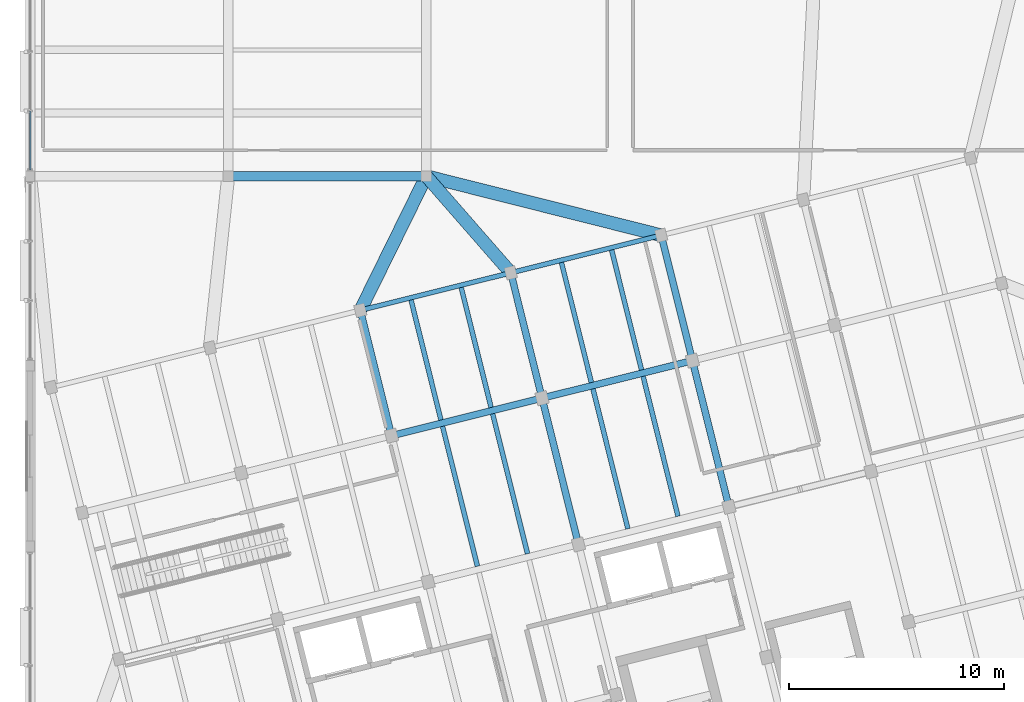
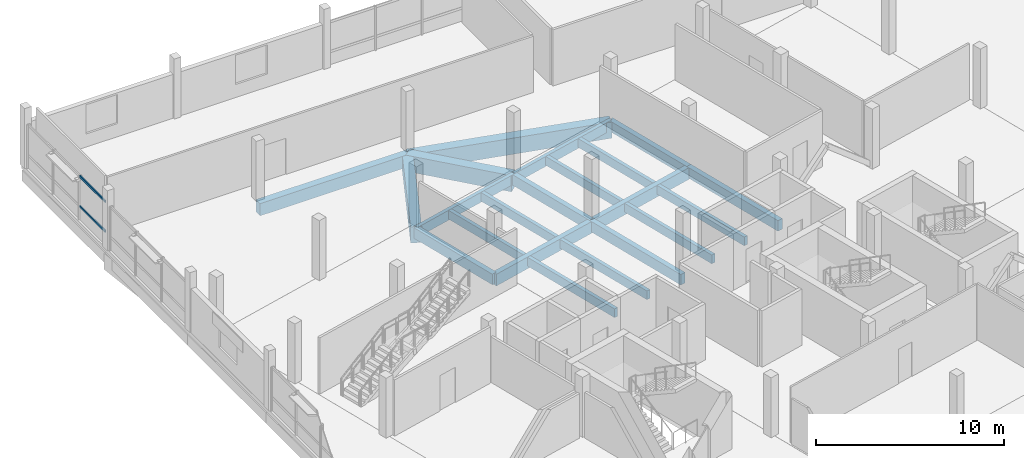
# One storey, part 34 of 62: 21 beams, 2 members, 1 element without a shape of its own.
"""IFC4 building model written with IfcOpenShell, lengths in metres."""

from ifc_helpers import new_model, si_unit, direction, frame, origin, origin_2d, place, context, subcontext, project, spatial, rectangle, hollow_rectangle, extrude, material, layer, layer_set, material_profile, profile_set, type_object, element, aggregate, save


model = new_model("IFC4")

# Units and contexts
model_context = context("Model", 3, precision=1e-05, world=origin(), true_north=direction((0.0, 1.0)))
body_context = subcontext(model_context, "Body", "Model", "MODEL_VIEW")
ifc_project = project(units=[si_unit("LENGTHUNIT", "METRE"), si_unit("AREAUNIT", "SQUARE_METRE"), si_unit("VOLUMEUNIT", "CUBIC_METRE"), si_unit("PLANEANGLEUNIT", "RADIAN"), si_unit("MASSUNIT", "GRAM", prefix="KILO")], contexts=[model_context])

# Site, building, storey
site_placement = place(None, origin())
site = spatial("IfcSite", under=ifc_project, at=site_placement, CompositionType="ELEMENT")
building_placement = place(site_placement, origin())
building = spatial("IfcBuilding", under=site, at=building_placement, Name="Meriwether Solvik Hall", CompositionType="ELEMENT")
storey_placement = place(building_placement, frame((0.0, 0.0, 14.39990234375)))
storey = spatial("IfcBuildingStorey", under=building, at=storey_placement, Name="L03", CompositionType="ELEMENT", Elevation=14.39990234375)

# Beams
ifc_material_1 = material(Name="Glulam Douglas-Fir 24F-V8 GL28h", Category="wood")
ifc_material_profile_1 = material_profile(ifc_material_1, rectangle(XDim=0.221923828125, YDim=0.64501953125, at=origin_2d()), Name="GLB-222X645")
ifc_profile_set_1 = profile_set([ifc_material_profile_1], Name="Glulam Douglas-Fir 24F-V8 GL28h")
beam_type_1 = type_object("IfcBeamType", Name="BM-GL-222X645", PredefinedType="SPANDREL", material=ifc_profile_set_1)
for number, where, z_axis, x_axis, name in (
    (1, (74.735107421875, 77.7705078125, -0.5673828125), (0.970291911955, 0.241937193493, 0.0), (-0.241937193493, 0.970291911955, 0.0), "Tower Girder TF:T3-T4 (L03)"),
    (2, (81.72119140625, 79.512451171875, -0.5673828125), (0.970299871507, 0.241905269381, 0.0), (-0.241905269381, 0.970299871507, 0.0), "Tower Girder TF:T4-T5 (L03)"),
):
    element("IfcBeam", number, at=place(storey_placement, frame(where, z_axis=z_axis, x_axis=x_axis)), inside=storey, type_object=beam_type_1, Name=name, PredefinedType="SPANDREL", context=body_context, shape_type="SweptSolid", body=[
        extrude(rectangle(XDim=0.221923828125, YDim=0.64501953125, at=origin_2d()), origin(), (0.0, 0.0, 1.0), 7.199951171875),
    ])
ifc_material_2 = material(Name="Glulam Douglas-Fir 24F-V8 GL28h", Category="wood")
ifc_material_profile_2 = material_profile(ifc_material_2, rectangle(XDim=0.31494140625, YDim=0.68505859375, at=origin_2d()), Name="GLB-315X685")
ifc_profile_set_2 = profile_set([ifc_material_profile_2], Name="Glulam Douglas-Fir 24F-V8 GL28h")
beam_type_2 = type_object("IfcBeamType", Name="BM-GL-315X685", PredefinedType="BEAM", material=ifc_profile_set_2)
beam_1_placement = place(storey_placement, frame((76.1865234375, 71.94873046875, -0.58740234375), z_axis=(-0.241903677572, 0.970300268359, 0.0), x_axis=(-0.970300268359, -0.241903677572, 0.0)))
element("IfcBeam", 3, at=beam_1_placement, inside=storey, type_object=beam_type_2, Name="Tower Girder T3:TE-TF (L03)", PredefinedType="BEAM", context=body_context, shape_type="SweptSolid", body=[
    extrude(rectangle(XDim=0.31494140625, YDim=0.68505859375, at=origin_2d()), origin(), (0.0, 0.0, 1.0), 6.0),
])
beam_2_placement = place(storey_placement, frame((84.8662109375, 66.8984375, -0.58740234375), z_axis=(-0.241936527961, 0.970292077901, 0.0), x_axis=(-0.970292077901, -0.241936527961, 0.0)))
element("IfcBeam", 4, at=beam_2_placement, inside=storey, type_object=beam_type_2, Name="Tower Girder T4:TD-TE (L03)", PredefinedType="BEAM", context=body_context, shape_type="SweptSolid", body=[
    extrude(rectangle(XDim=0.31494140625, YDim=0.68505859375, at=origin_2d()), origin(), (0.0, 0.0, 1.0), 7.000244140625),
])
beam_3_placement = place(storey_placement, frame((83.172607421875, 73.690673828125, -0.58740234375), z_axis=(-0.241903677572, 0.970300268359, 0.0), x_axis=(-0.970300268359, -0.241903677572, 0.0)))
element("IfcBeam", 5, at=beam_3_placement, inside=storey, type_object=beam_type_2, Name="Tower Girder T4:TE-TF (L03)", PredefinedType="BEAM", context=body_context, shape_type="SweptSolid", body=[
    extrude(rectangle(XDim=0.31494140625, YDim=0.68505859375, at=origin_2d()), origin(), (0.0, 0.0, 1.0), 6.0),
])
beam_4_placement = place(storey_placement, frame((91.852294921875, 68.640380859375, -0.58740234375), z_axis=(-0.241911879182, 0.970298223594, 0.0), x_axis=(-0.970298223594, -0.241911879182, 0.0)))
element("IfcBeam", 6, at=beam_4_placement, inside=storey, type_object=beam_type_2, Name="Tower Girder T5:TD-TE (L03)", PredefinedType="BEAM", context=body_context, shape_type="SweptSolid", body=[
    extrude(rectangle(XDim=0.31494140625, YDim=0.68505859375, at=origin_2d()), origin(), (0.0, 0.0, 1.0), 7.0),
])
beam_5_placement = place(storey_placement, frame((90.158935546875, 75.432373046875, -0.58740234375), z_axis=(-0.241941986192, 0.970290716908, 0.0), x_axis=(-0.970290716908, -0.241941986192, 0.0)))
element("IfcBeam", 7, at=beam_5_placement, inside=storey, type_object=beam_type_2, Name="Tower Girder T5:TE-TF (L03)", PredefinedType="BEAM", context=body_context, shape_type="SweptSolid", body=[
    extrude(rectangle(XDim=0.31494140625, YDim=0.68505859375, at=origin_2d()), origin(), (0.0, 0.0, 1.0), 6.0),
])
ifc_material_3 = material(Name="Glulam Douglas-Fir 24F-V8 GL28h", Category="wood")
ifc_material_profile_3 = material_profile(ifc_material_3, rectangle(XDim=0.31494140625, YDim=0.760009765625, at=origin_2d()), Name="GLB-315X760")
ifc_profile_set_3 = profile_set([ifc_material_profile_3], Name="Glulam Douglas-Fir 24F-V8 GL28h")
beam_type_3 = type_object("IfcBeamType", Name="BM-GL-315X760", PredefinedType="BEAM", material=ifc_profile_set_3)
beam_6_placement = place(storey_placement, frame((76.1865234375, 71.94873046875, -0.625), z_axis=(0.970291911955, 0.241937193493, 0.0), x_axis=(-0.241937193493, 0.970291911955, 0.0)))
element("IfcBeam", 8, at=beam_6_placement, inside=storey, type_object=beam_type_3, Name="Tower Girder TE:T3-T4 (L03)", PredefinedType="BEAM", context=body_context, shape_type="SweptSolid", body=[
    extrude(rectangle(XDim=0.31494140625, YDim=0.760009765625, at=origin_2d()), origin(), (0.0, 0.0, 1.0), 7.199951171875),
])
beam_7_placement = place(storey_placement, frame((83.172607421875, 73.690673828125, -0.625), z_axis=(0.970301855688, 0.241897310542, 0.0), x_axis=(-0.241897310542, 0.970301855688, 0.0)))
element("IfcBeam", 9, at=beam_7_placement, inside=storey, type_object=beam_type_3, Name="Tower Girder TE:T4-T5 (L03)", PredefinedType="BEAM", context=body_context, shape_type="SweptSolid", body=[
    extrude(rectangle(XDim=0.31494140625, YDim=0.760009765625, at=origin_2d()), origin(), (0.0, 0.0, 1.0), 7.2001953125),
])
ifc_material_4 = material(Name="Concrete C40/50", Category="concrete")
ifc_material_profile_4 = material_profile(ifc_material_4, rectangle(XDim=0.449951171875, YDim=0.800048828125, at=origin_2d()), Name="RCB-450X800")
ifc_profile_set_4 = profile_set([ifc_material_profile_4], Name="Concrete C40/50")
beam_type_4 = type_object("IfcBeamType", Name="BM-RC-450X800", PredefinedType="BEAM", material=ifc_profile_set_4)
beam_8_placement = place(storey_placement, frame((68.60009765625, 84.0, -0.64501953125), z_axis=(1.0, 0.0, 0.0), x_axis=(0.0, 1.0, 0.0)))
element("IfcBeam", 10, at=beam_8_placement, inside=storey, type_object=beam_type_4, Name="Podium Girder J:8-9 (L03)", PredefinedType="BEAM", context=body_context, shape_type="SweptSolid", body=[
    extrude(rectangle(XDim=0.449951171875, YDim=0.800048828125, at=origin_2d()), origin(), (0.0, 0.0, 1.0), 9.199951171875),
])
ifc_material_5 = material(Name="Concrete C40/50", Category="concrete")
ifc_material_profile_5 = material_profile(ifc_material_5, rectangle(XDim=0.60009765625, YDim=1.050048828125, at=origin_2d()), Name="RCB-600X1050")
ifc_profile_set_5 = profile_set([ifc_material_profile_5], Name="Concrete C40/50")
beam_type_5 = type_object("IfcBeamType", Name="BM-RC-600X1050", PredefinedType="BEAM", material=ifc_profile_set_5)
beam_9_placement = place(storey_placement, frame((74.735107421875, 77.7705078125, -0.77001953125), z_axis=(0.44146540955, 0.897278269084, 0.0), x_axis=(-0.897278269084, 0.44146540955, 0.0)))
element("IfcBeam", 11, at=beam_9_placement, inside=storey, type_object=beam_type_5, Name="Diaphragm Collector Girder T3/TF-9/J (L03)", PredefinedType="BEAM", context=body_context, shape_type="SweptSolid", body=[
    extrude(rectangle(XDim=0.60009765625, YDim=1.050048828125, at=origin_2d()), origin(), (0.0, 0.0, 1.0), 6.942626953125),
])
beam_10_placement = place(storey_placement, frame((81.72119140625, 79.512451171875, -0.77001953125), z_axis=(-0.657985282871, 0.7530307879, 0.0), x_axis=(-0.7530307879, -0.657985282871, 0.0)))
element("IfcBeam", 12, at=beam_10_placement, inside=storey, type_object=beam_type_5, Name="Diaphragm Collector Girder T4/TF-9/J (L03)", PredefinedType="BEAM", context=body_context, shape_type="SweptSolid", body=[
    extrude(rectangle(XDim=0.60009765625, YDim=1.050048828125, at=origin_2d()), origin(), (0.0, 0.0, 1.0), 5.959228515625),
])
beam_11_placement = place(storey_placement, frame((88.707275390625, 81.254150390625, -0.77001953125), z_axis=(-0.969742820247, 0.244128782776, 0.0), x_axis=(-0.244128782776, -0.969742820247, 0.0)))
element("IfcBeam", 13, at=beam_11_placement, inside=storey, type_object=beam_type_5, Name="Diaphragm Collector Girder T5/TF-9/J (L03)", PredefinedType="BEAM", context=body_context, shape_type="SweptSolid", body=[
    extrude(rectangle(XDim=0.60009765625, YDim=1.050048828125, at=origin_2d()), origin(), (0.0, 0.0, 1.0), 11.24755859375),
])

# Curtain wall, members
ifc_material_6 = material(Name="Thermally Broken Anodised Aluminium 6063-T6 and Low-E Glass", Category="aluminium")
ifc_layer = layer(ifc_material_6, 0.179931640625)
ifc_layer_set = layer_set([ifc_layer], Name="Thermally Broken Anodised Aluminium 6063-T6 and Low-E Glass")
curtain_wall_type = type_object("IfcCurtainWallType", Name="CW-UNIT-E", PredefinedType="USERDEFINED", material=ifc_layer_set)
curtain_wall_placement = place(storey_placement, origin())
curtain_wall = element("IfcCurtainWall", 14, at=curtain_wall_placement, inside=storey, type_object=curtain_wall_type, Name="Curtain Wall wing_Y7_10_33 (L03)", ObjectType="UNITISED CURTAIN WALL", PredefinedType="USERDEFINED")
ifc_material_7 = material(Name="Anodised Aluminium 6063-T6", Category="aluminium")
ifc_material_profile_6 = material_profile(ifc_material_7, hollow_rectangle(XDim=0.070068359375, YDim=0.14990234375, WallThickness=0.0048828125, at=origin_2d()), Name="CWT-70X150")
ifc_profile_set_6 = profile_set([ifc_material_profile_6], Name="Anodised Aluminium 6063-T6")
member_type = type_object("IfcMemberType", Name="CW-TRN-70X150", PredefinedType="USERDEFINED", material=ifc_profile_set_6)
member_1_placement = place(storey_placement, frame((59.39990234375, 84.297607421875, 0.856689453125), z_axis=(0.0, 1.0, 0.0), x_axis=(-1.0, 0.0, 0.0)))
member_1 = element("IfcMember", 15, at=member_1_placement, type_object=member_type, Name="Curtain Wall Transom 1-sill", ObjectType="TRANSOM", PredefinedType="USERDEFINED", context=body_context, shape_type="SweptSolid", body=[
    extrude(hollow_rectangle(XDim=0.070068359375, YDim=0.14990234375, WallThickness=0.0048828125, at=origin_2d()), origin(), (0.0, 0.0, 1.0), 2.72216796875),
])
member_2_placement = place(storey_placement, frame((59.39990234375, 84.297607421875, 2.795166015625), z_axis=(0.0, 1.0, 0.0), x_axis=(-1.0, 0.0, 0.0)))
member_2 = element("IfcMember", 16, at=member_2_placement, type_object=member_type, Name="Curtain Wall Transom 1-head", ObjectType="TRANSOM", PredefinedType="USERDEFINED", context=body_context, shape_type="SweptSolid", body=[
    extrude(hollow_rectangle(XDim=0.070068359375, YDim=0.14990234375, WallThickness=0.0048828125, at=origin_2d()), origin(), (0.0, 0.0, 1.0), 2.72216796875),
])
aggregate(curtain_wall, [member_1, member_2])

# Beams
ifc_material_8 = material(Name="Glulam Douglas-Fir 24F-V8 GL28h", Category="wood")
ifc_material_profile_7 = material_profile(ifc_material_8, rectangle(XDim=0.221923828125, YDim=0.570068359375, at=origin_2d()), Name="GLJ-222X570")
ifc_profile_set_7 = profile_set([ifc_material_profile_7], Name="Glulam Douglas-Fir 24F-V8 GL28h")
beam_type_6 = type_object("IfcBeamType", Name="JST-GL-222X570", PredefinedType="JOIST", material=ifc_profile_set_7)
for number, where, z_axis, x_axis, name in (
    (17, (80.171875, 65.88525390625, -0.52978515625), (-0.241917792922, 0.970296749179, 0.0), (-0.970296749179, -0.241917792922, 0.0), "Glulam Floor Joist T3/TD-J1 (L03)"),
    (18, (82.50048828125, 66.4658203125, -0.52978515625), (-0.241917792922, 0.970296749179, 0.0), (-0.970296749179, -0.241917792922, 0.0), "Glulam Floor Joist T3/TD-J2 (L03)"),
):
    element("IfcBeam", number, at=place(storey_placement, frame(where, z_axis=z_axis, x_axis=x_axis)), inside=storey, type_object=beam_type_6, Name=name, PredefinedType="JOIST", context=body_context, shape_type="SweptSolid", body=[
        extrude(rectangle(XDim=0.221923828125, YDim=0.570068359375, at=origin_2d()), origin(), (0.0, 0.0, 1.0), 6.695068359375),
    ])
for number, where, z_axis, x_axis, name in (
    (19, (78.478271484375, 72.67724609375, -0.52978515625), (-0.241905253991, 0.970299875343, 0.0), (-0.970299875343, -0.241905253991, 0.0), "Glulam Floor Joist T3/TE-J1 (L03)"),
    (20, (80.80712890625, 73.2578125, -0.52978515625), (-0.241905253991, 0.970299875343, 0.0), (-0.970299875343, -0.241905253991, 0.0), "Glulam Floor Joist T3/TE-J2 (L03)"),
):
    element("IfcBeam", number, at=place(storey_placement, frame(where, z_axis=z_axis, x_axis=x_axis)), inside=storey, type_object=beam_type_6, Name=name, PredefinedType="JOIST", context=body_context, shape_type="SweptSolid", body=[
        extrude(rectangle(XDim=0.221923828125, YDim=0.570068359375, at=origin_2d()), origin(), (0.0, 0.0, 1.0), 5.741455078125),
    ])
beam_12_placement = place(storey_placement, frame((87.157958984375, 67.626953125, -0.52978515625), z_axis=(-0.241909233393, 0.970298883231, 0.0), x_axis=(-0.970298883231, -0.241909233393, 0.0)))
element("IfcBeam", 21, at=beam_12_placement, inside=storey, type_object=beam_type_6, Name="Glulam Floor Joist T4/TD-J1 (L03)", PredefinedType="JOIST", context=body_context, shape_type="SweptSolid", body=[
    extrude(rectangle(XDim=0.221923828125, YDim=0.570068359375, at=origin_2d()), origin(), (0.0, 0.0, 1.0), 6.6953125),
])
beam_13_placement = place(storey_placement, frame((89.486572265625, 68.207763671875, -0.52978515625), z_axis=(-0.241917792922, 0.970296749179, 0.0), x_axis=(-0.970296749179, -0.241917792922, 0.0)))
element("IfcBeam", 22, at=beam_13_placement, inside=storey, type_object=beam_type_6, Name="Glulam Floor Joist T4/TD-J2 (L03)", PredefinedType="JOIST", context=body_context, shape_type="SweptSolid", body=[
    extrude(rectangle(XDim=0.221923828125, YDim=0.570068359375, at=origin_2d()), origin(), (0.0, 0.0, 1.0), 6.695068359375),
])
for number, where, z_axis, x_axis, name in (
    (23, (85.464599609375, 74.419189453125, -0.52978515625), (-0.241955269204, 0.970287404692, 0.0), (-0.970287404692, -0.241955269204, 0.0), "Glulam Floor Joist T4/TE-J1 (L03)"),
    (24, (87.793212890625, 74.999755859375, -0.52978515625), (-0.241905253991, 0.970299875343, 0.0), (-0.970299875343, -0.241905253991, 0.0), "Glulam Floor Joist T4/TE-J2 (L03)"),
):
    element("IfcBeam", number, at=place(storey_placement, frame(where, z_axis=z_axis, x_axis=x_axis)), inside=storey, type_object=beam_type_6, Name=name, PredefinedType="JOIST", context=body_context, shape_type="SweptSolid", body=[
        extrude(rectangle(XDim=0.221923828125, YDim=0.570068359375, at=origin_2d()), origin(), (0.0, 0.0, 1.0), 5.741455078125),
    ])

save(model, "model.ifc")
